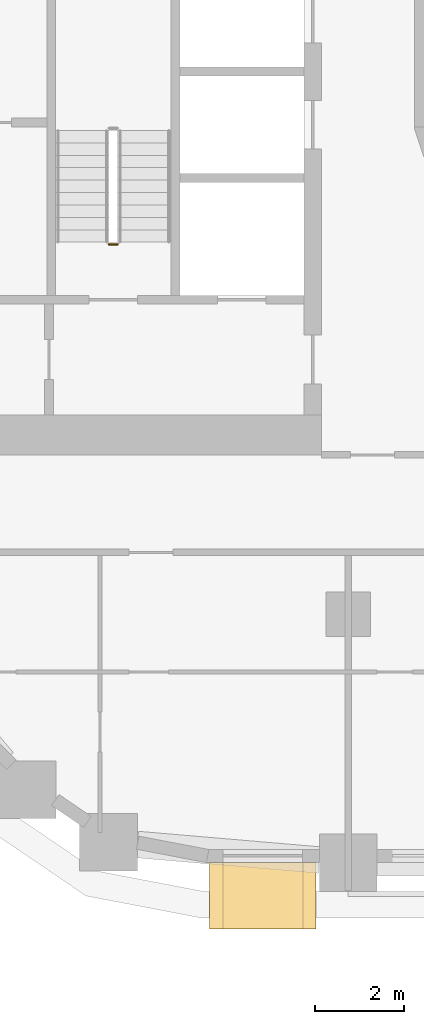
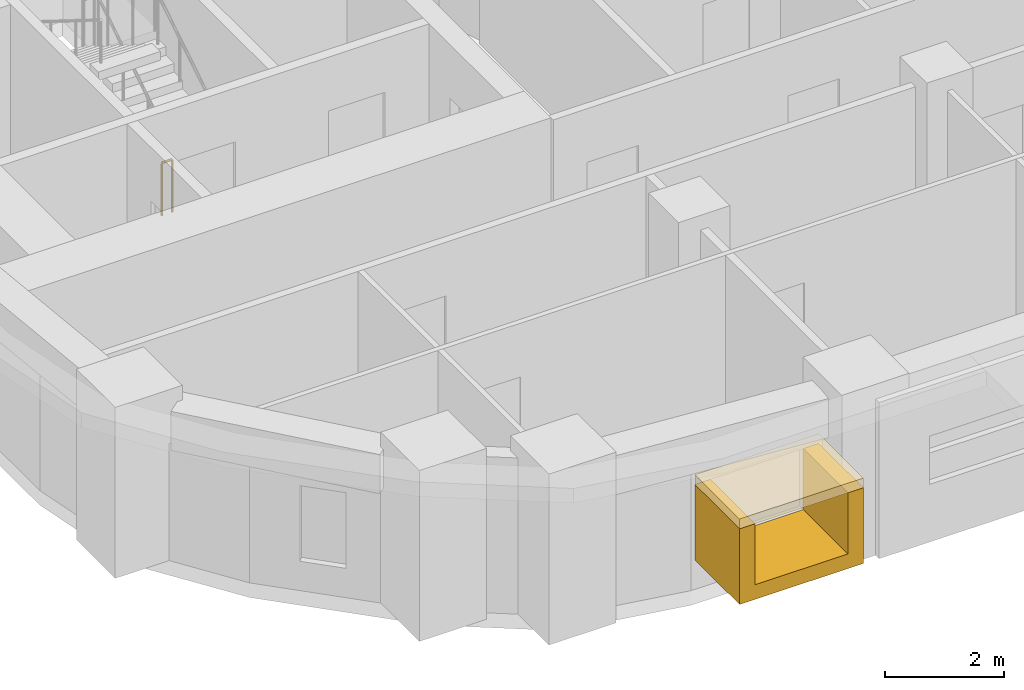
# One storey, part 11 of 22: 2 coverings, 1 railing.
"""IFC4 building model written with IfcOpenShell, lengths in metres."""

from ifc_helpers import new_model, si_unit, direction, frame, origin, origin_2d, place, context, subcontext, project, spatial, polyline, rectangle, circle, outline, extrude, material, layer, layer_set, type_object, element, save


model = new_model("IFC4")

# Units and contexts
model_context = context("Model", 3, precision=1e-05, world=origin(), true_north=direction((0.0, 1.0)))
body_context = subcontext(model_context, "Body", "Model", "MODEL_VIEW")
ifc_project = project(units=[si_unit("LENGTHUNIT", "METRE"), si_unit("AREAUNIT", "SQUARE_METRE"), si_unit("VOLUMEUNIT", "CUBIC_METRE"), si_unit("PLANEANGLEUNIT", "RADIAN"), si_unit("MASSUNIT", "GRAM", prefix="KILO")], contexts=[model_context])

# Site, building, storey
site_placement = place(None, origin())
site = spatial("IfcSite", under=ifc_project, at=site_placement, CompositionType="ELEMENT")
building_placement = place(site_placement, origin())
building = spatial("IfcBuilding", under=site, at=building_placement, Name="Kiln Ring Residences", CompositionType="ELEMENT")
storey_placement = place(building_placement, frame((0.0, 0.0, 97.300048828125)))
storey = spatial("IfcBuildingStorey", under=building, at=storey_placement, Name="L24", CompositionType="ELEMENT", Elevation=97.300048828125)

# Railing
ifc_material_1 = material(Name="Stainless steel", Category="steel")
railing_type = type_object("IfcRailingType", Name="CORE-STAIR-GUARD", PredefinedType="GUARDRAIL", material=ifc_material_1)
railing_placement = place(storey_placement, frame((-22.0, -8.449951171875, 0.0)))
element("IfcRailing", 1, at=railing_placement, inside=storey, type_object=railing_type, Name="L24 W-STS stair guard 4", PredefinedType="GUARDRAIL", context=body_context, shape_type="SweptSolid", body=[
    extrude(circle(Radius=0.02392578125, at=origin_2d()), frame((0.0, 0.0, 1.076171875), z_axis=(-1.0, 0.0, 0.0), x_axis=(0.0, -1.0, 0.0)), (0.0, 0.0, 1.0), 0.199951171875),
    extrude(circle(Radius=0.02099609375, at=origin_2d()), origin(), (0.0, 0.0, 1.0), 1.052001953125),
    extrude(circle(Radius=0.02099609375, at=origin_2d()), frame((-0.199951171875, 0.0, 0.0)), (0.0, 0.0, 1.0), 1.052001953125),
])

# Coverings
ifc_material_2 = material(Name="Brick masonry, dark clay brick", Category="masonry")
ifc_layer_1 = layer(ifc_material_2, 0.300048828125)
ifc_layer_set_1 = layer_set([ifc_layer_1], Name="FRAME CHEEKS AND SILL 1500")
covering_type_1 = type_object("IfcCoveringType", Name="FRAME CHEEKS AND SILL 1500", PredefinedType="CLADDING", material=ifc_layer_set_1)
covering_1_placement = place(storey_placement, frame((-19.925048828125, -23.14990234375, 0.599853515625), z_axis=(0.0, 0.0, 1.0), x_axis=(1.0, 0.0, 0.0)))
element("IfcCovering", 2, at=covering_1_placement, inside=storey, type_object=covering_type_1, Name="FRAME L24", PredefinedType="CLADDING", context=body_context, shape_type="SweptSolid", body=[
    extrude(outline(polyline([(0.0, 0.0), (2.400146484375, 0.0), (2.39990234375, 1.550048828125), (2.10107421875, 1.550048828125), (2.10009765625, 0.300048828125), (0.300048828125, 0.300048828125), (0.299072265625, 1.550048828125), (0.0, 1.550048828125), (0.0, 0.0)])), frame((0.0, 0.75, 0.0), z_axis=(0.0, -1.0, 0.0), x_axis=(1.0, 0.0, 0.0)), (0.0, 0.0, 1.0), 1.5),
])
ifc_material_3 = material(Name="Brick masonry, dark clay brick", Category="masonry")
ifc_layer_2 = layer(ifc_material_3, 0.199951171875)
ifc_layer_set_2 = layer_set([ifc_layer_2], Name="FRAME HEAD 1500")
covering_type_2 = type_object("IfcCoveringType", Name="FRAME HEAD 1500", PredefinedType="CLADDING", material=ifc_layer_set_2)
covering_2_placement = place(storey_placement, frame((-18.72509765625, -23.14990234375, 2.14990234375), z_axis=(0.0, 0.0, 1.0), x_axis=(1.0, 0.0, 0.0)))
element("IfcCovering", 3, at=covering_2_placement, inside=storey, type_object=covering_type_2, Name="FRAME HEAD L24", PredefinedType="CLADDING", context=body_context, shape_type="SweptSolid", body=[
    extrude(rectangle(XDim=2.39990234375, YDim=1.5, at=origin_2d()), origin(), (0.0, 0.0, 1.0), 0.199951171875),
])

save(model, "model.ifc")
